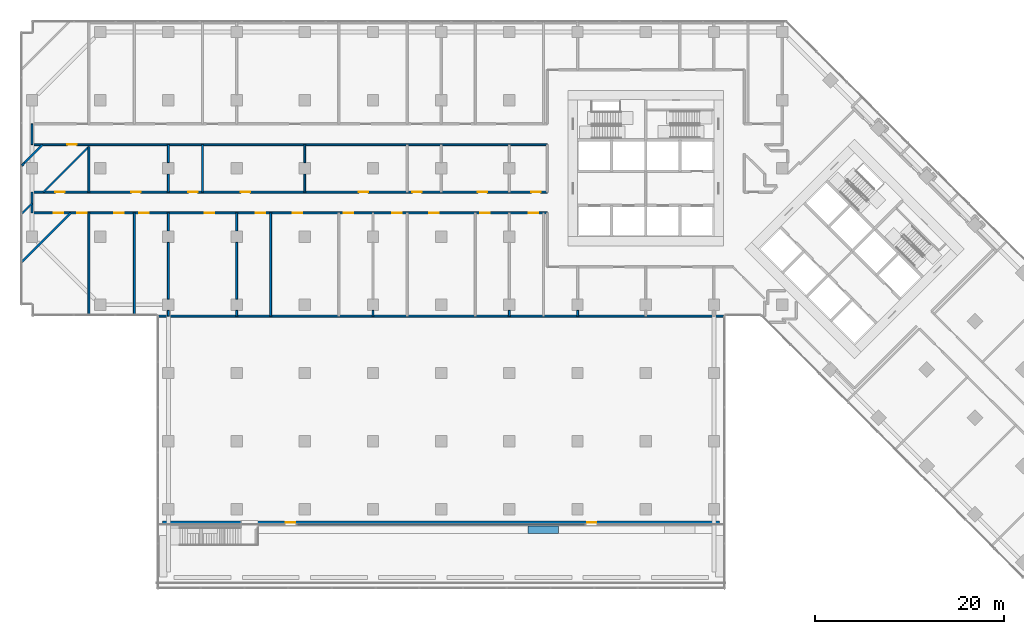
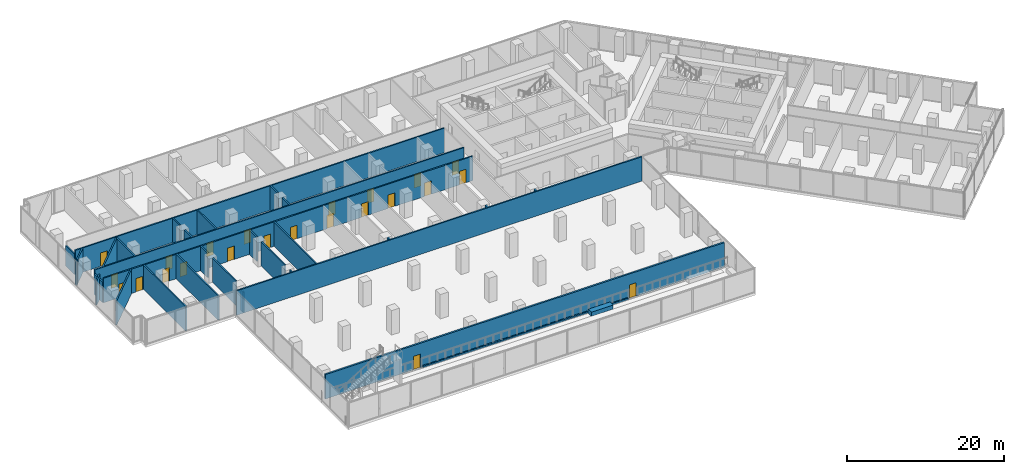
# One storey, part 19 of 27: 32 walls, 23 doors, 23 openings.
"""IFC4 building model written with IfcOpenShell, lengths in metres."""

from ifc_helpers import new_model, si_unit, direction, frame, frame_2d, origin, place, context, subcontext, project, spatial, polyline, rectangle, outline, extrude, material, layer, layer_set, type_object, element, fill, save


model = new_model("IFC4")

# Units and contexts
model_context = context("Model", 3, precision=1e-05, world=origin(), true_north=direction((0.0, 1.0)))
body_context = subcontext(model_context, "Body", "Model", "MODEL_VIEW")
ifc_project = project(units=[si_unit("LENGTHUNIT", "METRE"), si_unit("AREAUNIT", "SQUARE_METRE"), si_unit("VOLUMEUNIT", "CUBIC_METRE"), si_unit("PLANEANGLEUNIT", "RADIAN"), si_unit("MASSUNIT", "GRAM", prefix="KILO")], contexts=[model_context])

# Site, building, storey
site_placement = place(None, origin())
site = spatial("IfcSite", under=ifc_project, at=site_placement, CompositionType="ELEMENT")
building_placement = place(site_placement, origin())
building = spatial("IfcBuilding", under=site, at=building_placement, Name="Windrow Commons", CompositionType="ELEMENT")
storey_placement = place(building_placement, frame((0.0, 0.0, 6.0)))
storey = spatial("IfcBuildingStorey", under=building, at=storey_placement, Name="L01", CompositionType="ELEMENT", Elevation=6.0)

# Wall, openings, doors
ifc_material_1 = material(Name="Blockwork partition", Category="masonry")
ifc_layer_1 = layer(ifc_material_1, 0.2)
ifc_layer_set_1 = layer_set([ifc_layer_1], Name="IW-CORRIDOR-200")
wall_type_1 = type_object("IfcWallType", Name="IW-CORRIDOR-200", PredefinedType="PARTITIONING", material=ifc_layer_set_1)
wall_1_placement = place(storey_placement, frame((0.0, 55.1, 0.0), z_axis=(0.0, 0.0, 1.0), x_axis=(1.0, 0.0, 0.0)))
wall_1 = element("IfcWall", 1, at=wall_1_placement, inside=storey, type_object=wall_type_1, Name="W-L01-W002", PredefinedType="PARTITIONING", context=body_context, shape_type="SweptSolid", body=[
    extrude(rectangle(XDim=54.4, YDim=0.2, at=frame_2d((27.2, 0.0))), origin(), (0.0, 0.0, 1.0), 3.8),
])
opening_1_placement = place(wall_1_placement, frame((10.4853, 0.0, 0.0)))
opening_1 = element("IfcOpeningElement", 2, at=opening_1_placement, cuts=wall_1, Name="Opening D310F", PredefinedType="OPENING", context=body_context, shape_type="SweptSolid", body=[
    extrude(rectangle(XDim=1.0, YDim=2.1, at=frame_2d((0.5, 1.05))), frame((0.0, 0.11, 0.0), z_axis=(0.0, -1.0, 0.0), x_axis=(1.0, 0.0, 0.0)), (0.0, 0.0, 1.0), 0.22),
])
opening_2_placement = place(wall_1_placement, frame((16.475, 0.0, 0.0)))
opening_2 = element("IfcOpeningElement", 3, at=opening_2_placement, cuts=wall_1, Name="Opening D310F", PredefinedType="OPENING", context=body_context, shape_type="SweptSolid", body=[
    extrude(rectangle(XDim=1.0, YDim=2.1, at=frame_2d((0.5, 1.05))), frame((0.0, 0.11, 0.0), z_axis=(0.0, -1.0, 0.0), x_axis=(1.0, 0.0, 0.0)), (0.0, 0.0, 1.0), 0.22),
])
opening_3_placement = place(wall_1_placement, frame((22.025, 0.0, 0.0)))
opening_3 = element("IfcOpeningElement", 4, at=opening_3_placement, cuts=wall_1, Name="Opening D310F", PredefinedType="OPENING", context=body_context, shape_type="SweptSolid", body=[
    extrude(rectangle(XDim=1.0, YDim=2.1, at=frame_2d((0.5, 1.05))), frame((0.0, 0.11, 0.0), z_axis=(0.0, -1.0, 0.0), x_axis=(1.0, 0.0, 0.0)), (0.0, 0.0, 1.0), 0.22),
])
opening_4_placement = place(wall_1_placement, frame((34.4842, 0.0, 0.0)))
opening_4 = element("IfcOpeningElement", 5, at=opening_4_placement, cuts=wall_1, Name="Opening D310F", PredefinedType="OPENING", context=body_context, shape_type="SweptSolid", body=[
    extrude(rectangle(XDim=1.0, YDim=2.1, at=frame_2d((0.5, 1.05))), frame((0.0, 0.11, 0.0), z_axis=(0.0, -1.0, 0.0), x_axis=(1.0, 0.0, 0.0)), (0.0, 0.0, 1.0), 0.22),
])
opening_5_placement = place(wall_1_placement, frame((40.125, 0.0, 0.0)))
opening_5 = element("IfcOpeningElement", 6, at=opening_5_placement, cuts=wall_1, Name="Opening D310F", PredefinedType="OPENING", context=body_context, shape_type="SweptSolid", body=[
    extrude(rectangle(XDim=1.0, YDim=2.1, at=frame_2d((0.5, 1.05))), frame((0.0, 0.11, 0.0), z_axis=(0.0, -1.0, 0.0), x_axis=(1.0, 0.0, 0.0)), (0.0, 0.0, 1.0), 0.22),
])
opening_6_placement = place(wall_1_placement, frame((47.0862, 0.0, 0.0)))
opening_6 = element("IfcOpeningElement", 7, at=opening_6_placement, cuts=wall_1, Name="Opening D310F", PredefinedType="OPENING", context=body_context, shape_type="SweptSolid", body=[
    extrude(rectangle(XDim=1.0, YDim=2.1, at=frame_2d((0.5, 1.05))), frame((0.0, 0.11, 0.0), z_axis=(0.0, -1.0, 0.0), x_axis=(1.0, 0.0, 0.0)), (0.0, 0.0, 1.0), 0.22),
])
opening_7_placement = place(wall_1_placement, frame((52.709, 0.0, 0.0)))
opening_7 = element("IfcOpeningElement", 8, at=opening_7_placement, cuts=wall_1, Name="Opening D310F", PredefinedType="OPENING", context=body_context, shape_type="SweptSolid", body=[
    extrude(rectangle(XDim=1.0, YDim=2.1, at=frame_2d((0.5, 1.05))), frame((0.0, 0.11, 0.0), z_axis=(0.0, -1.0, 0.0), x_axis=(1.0, 0.0, 0.0)), (0.0, 0.0, 1.0), 0.22),
])
opening_8_placement = place(wall_1_placement, frame((2.4507, 0.0, 0.0)))
opening_8 = element("IfcOpeningElement", 9, at=opening_8_placement, cuts=wall_1, Name="Opening D310F", PredefinedType="OPENING", context=body_context, shape_type="SweptSolid", body=[
    extrude(rectangle(XDim=1.0, YDim=2.1, at=frame_2d((0.5, 1.05))), frame((0.0, 0.11, 0.0), z_axis=(0.0, -1.0, 0.0), x_axis=(1.0, 0.0, 0.0)), (0.0, 0.0, 1.0), 0.22),
])
ifc_material_2 = material(Name="Timber door leaf", Category="wood")
door_type_1 = type_object("IfcDoorType", Name="DT-AMENITY-1000", OperationType="SINGLE_SWING_LEFT", PredefinedType="DOOR", material=ifc_material_2)
door_1_placement = place(opening_1_placement, origin())
door_1 = element("IfcDoor", 10, at=door_1_placement, inside=storey, type_object=door_type_1, Name="D-L01-D015", OperationType="SINGLE_SWING_RIGHT", OverallHeight=2.1, OverallWidth=1.0, PredefinedType="DOOR", context=body_context, shape_type="SweptSolid", body=[
    extrude(rectangle(XDim=1.0, YDim=2.1, at=frame_2d((0.5, 1.05))), frame((0.0, 0.025, 0.0), z_axis=(0.0, -1.0, 0.0), x_axis=(1.0, 0.0, 0.0)), (0.0, 0.0, 1.0), 0.05),
])
fill(opening_1, door_1)
door_2_placement = place(opening_2_placement, origin())
door_2 = element("IfcDoor", 11, at=door_2_placement, inside=storey, type_object=door_type_1, Name="D-L01-D016", OperationType="SINGLE_SWING_RIGHT", OverallHeight=2.1, OverallWidth=1.0, PredefinedType="DOOR", context=body_context, shape_type="SweptSolid", body=[
    extrude(rectangle(XDim=1.0, YDim=2.1, at=frame_2d((0.5, 1.05))), frame((0.0, 0.025, 0.0), z_axis=(0.0, -1.0, 0.0), x_axis=(1.0, 0.0, 0.0)), (0.0, 0.0, 1.0), 0.05),
])
fill(opening_2, door_2)
door_3_placement = place(opening_3_placement, origin())
door_3 = element("IfcDoor", 12, at=door_3_placement, inside=storey, type_object=door_type_1, Name="D-L01-D017", OperationType="SINGLE_SWING_LEFT", OverallHeight=2.1, OverallWidth=1.0, PredefinedType="DOOR", context=body_context, shape_type="SweptSolid", body=[
    extrude(rectangle(XDim=1.0, YDim=2.1, at=frame_2d((0.5, 1.05))), frame((0.0, 0.025, 0.0), z_axis=(0.0, -1.0, 0.0), x_axis=(1.0, 0.0, 0.0)), (0.0, 0.0, 1.0), 0.05),
])
fill(opening_3, door_3)
door_4_placement = place(opening_4_placement, origin())
door_4 = element("IfcDoor", 13, at=door_4_placement, inside=storey, type_object=door_type_1, Name="D-L01-D018", OperationType="SINGLE_SWING_RIGHT", OverallHeight=2.1, OverallWidth=1.0, PredefinedType="DOOR", context=body_context, shape_type="SweptSolid", body=[
    extrude(rectangle(XDim=1.0, YDim=2.1, at=frame_2d((0.5, 1.05))), frame((0.0, 0.025, 0.0), z_axis=(0.0, -1.0, 0.0), x_axis=(1.0, 0.0, 0.0)), (0.0, 0.0, 1.0), 0.05),
])
fill(opening_4, door_4)
door_5_placement = place(opening_5_placement, origin())
door_5 = element("IfcDoor", 14, at=door_5_placement, inside=storey, type_object=door_type_1, Name="D-L01-D019", OperationType="SINGLE_SWING_LEFT", OverallHeight=2.1, OverallWidth=1.0, PredefinedType="DOOR", context=body_context, shape_type="SweptSolid", body=[
    extrude(rectangle(XDim=1.0, YDim=2.1, at=frame_2d((0.5, 1.05))), frame((0.0, 0.025, 0.0), z_axis=(0.0, -1.0, 0.0), x_axis=(1.0, 0.0, 0.0)), (0.0, 0.0, 1.0), 0.05),
])
fill(opening_5, door_5)
door_6_placement = place(opening_6_placement, origin())
door_6 = element("IfcDoor", 15, at=door_6_placement, inside=storey, type_object=door_type_1, Name="D-L01-D020", OperationType="SINGLE_SWING_RIGHT", OverallHeight=2.1, OverallWidth=1.0, PredefinedType="DOOR", context=body_context, shape_type="SweptSolid", body=[
    extrude(rectangle(XDim=1.0, YDim=2.1, at=frame_2d((0.5, 1.05))), frame((0.0, 0.025, 0.0), z_axis=(0.0, -1.0, 0.0), x_axis=(1.0, 0.0, 0.0)), (0.0, 0.0, 1.0), 0.05),
])
fill(opening_6, door_6)
door_7_placement = place(opening_7_placement, origin())
door_7 = element("IfcDoor", 16, at=door_7_placement, inside=storey, type_object=door_type_1, Name="D-L01-D021", OperationType="SINGLE_SWING_RIGHT", OverallHeight=2.1, OverallWidth=1.0, PredefinedType="DOOR", context=body_context, shape_type="SweptSolid", body=[
    extrude(rectangle(XDim=1.0, YDim=2.1, at=frame_2d((0.5, 1.05))), frame((0.0, 0.025, 0.0), z_axis=(0.0, -1.0, 0.0), x_axis=(1.0, 0.0, 0.0)), (0.0, 0.0, 1.0), 0.05),
])
fill(opening_7, door_7)
door_8_placement = place(opening_8_placement, origin())
door_8 = element("IfcDoor", 17, at=door_8_placement, inside=storey, type_object=door_type_1, Name="D-L01-D038", OperationType="SINGLE_SWING_LEFT", OverallHeight=2.1, OverallWidth=1.0, PredefinedType="DOOR", context=body_context, shape_type="SweptSolid", body=[
    extrude(rectangle(XDim=1.0, YDim=2.1, at=frame_2d((0.5, 1.05))), frame((0.0, 0.025, 0.0), z_axis=(0.0, -1.0, 0.0), x_axis=(1.0, 0.0, 0.0)), (0.0, 0.0, 1.0), 0.05),
])
fill(opening_8, door_8)

wall_2_placement = place(storey_placement, frame((0.0, 52.9, 0.0), z_axis=(0.0, 0.0, 1.0), x_axis=(1.0, 0.0, 0.0)))
wall_2 = element("IfcWall", 18, at=wall_2_placement, inside=storey, type_object=wall_type_1, Name="W-L01-W003", PredefinedType="PARTITIONING", context=body_context, shape_type="SweptSolid", body=[
    extrude(rectangle(XDim=54.4, YDim=0.2, at=frame_2d((27.2, 0.0))), origin(), (0.0, 0.0, 1.0), 3.8),
])
opening_9_placement = place(wall_2_placement, frame((8.6894, 0.0, 0.0)))
opening_9 = element("IfcOpeningElement", 19, at=opening_9_placement, cuts=wall_2, Name="Opening D310F", PredefinedType="OPENING", context=body_context, shape_type="SweptSolid", body=[
    extrude(rectangle(XDim=1.0, YDim=2.1, at=frame_2d((0.5, 1.05))), frame((0.0, 0.11, 0.0), z_axis=(0.0, -1.0, 0.0), x_axis=(1.0, 0.0, 0.0)), (0.0, 0.0, 1.0), 0.22),
])
opening_10_placement = place(wall_2_placement, frame((11.325, 0.0, 0.0)))
opening_10 = element("IfcOpeningElement", 20, at=opening_10_placement, cuts=wall_2, Name="Opening D310F", PredefinedType="OPENING", context=body_context, shape_type="SweptSolid", body=[
    extrude(rectangle(XDim=1.0, YDim=2.1, at=frame_2d((0.5, 1.05))), frame((0.0, 0.11, 0.0), z_axis=(0.0, -1.0, 0.0), x_axis=(1.0, 0.0, 0.0)), (0.0, 0.0, 1.0), 0.22),
])
opening_11_placement = place(wall_2_placement, frame((18.2625, 0.0, 0.0)))
opening_11 = element("IfcOpeningElement", 21, at=opening_11_placement, cuts=wall_2, Name="Opening D310F", PredefinedType="OPENING", context=body_context, shape_type="SweptSolid", body=[
    extrude(rectangle(XDim=1.0, YDim=2.1, at=frame_2d((0.5, 1.05))), frame((0.0, 0.11, 0.0), z_axis=(0.0, -1.0, 0.0), x_axis=(1.0, 0.0, 0.0)), (0.0, 0.0, 1.0), 0.22),
])
opening_12_placement = place(wall_2_placement, frame((23.6325, 0.0, 0.0)))
opening_12 = element("IfcOpeningElement", 22, at=opening_12_placement, cuts=wall_2, Name="Opening D310F", PredefinedType="OPENING", context=body_context, shape_type="SweptSolid", body=[
    extrude(rectangle(XDim=1.0, YDim=2.1, at=frame_2d((0.5, 1.05))), frame((0.0, 0.11, 0.0), z_axis=(0.0, -1.0, 0.0), x_axis=(1.0, 0.0, 0.0)), (0.0, 0.0, 1.0), 0.22),
])
opening_13_placement = place(wall_2_placement, frame((27.5375, 0.0, 0.0)))
opening_13 = element("IfcOpeningElement", 23, at=opening_13_placement, cuts=wall_2, Name="Opening D310F", PredefinedType="OPENING", context=body_context, shape_type="SweptSolid", body=[
    extrude(rectangle(XDim=1.0, YDim=2.1, at=frame_2d((0.5, 1.05))), frame((0.0, 0.11, 0.0), z_axis=(0.0, -1.0, 0.0), x_axis=(1.0, 0.0, 0.0)), (0.0, 0.0, 1.0), 0.22),
])
opening_14_placement = place(wall_2_placement, frame((32.9075, 0.0, 0.0)))
opening_14 = element("IfcOpeningElement", 24, at=opening_14_placement, cuts=wall_2, Name="Opening D310F", PredefinedType="OPENING", context=body_context, shape_type="SweptSolid", body=[
    extrude(rectangle(XDim=1.0, YDim=2.1, at=frame_2d((0.5, 1.05))), frame((0.0, 0.11, 0.0), z_axis=(0.0, -1.0, 0.0), x_axis=(1.0, 0.0, 0.0)), (0.0, 0.0, 1.0), 0.22),
])
opening_15_placement = place(wall_2_placement, frame((38.0325, 0.0, 0.0)))
opening_15 = element("IfcOpeningElement", 25, at=opening_15_placement, cuts=wall_2, Name="Opening D310F", PredefinedType="OPENING", context=body_context, shape_type="SweptSolid", body=[
    extrude(rectangle(XDim=1.0, YDim=2.1, at=frame_2d((0.5, 1.05))), frame((0.0, 0.11, 0.0), z_axis=(0.0, -1.0, 0.0), x_axis=(1.0, 0.0, 0.0)), (0.0, 0.0, 1.0), 0.22),
])
opening_16_placement = place(wall_2_placement, frame((41.9375, 0.0, 0.0)))
opening_16 = element("IfcOpeningElement", 26, at=opening_16_placement, cuts=wall_2, Name="Opening D310F", PredefinedType="OPENING", context=body_context, shape_type="SweptSolid", body=[
    extrude(rectangle(XDim=1.0, YDim=2.1, at=frame_2d((0.5, 1.05))), frame((0.0, 0.11, 0.0), z_axis=(0.0, -1.0, 0.0), x_axis=(1.0, 0.0, 0.0)), (0.0, 0.0, 1.0), 0.22),
])
opening_17_placement = place(wall_2_placement, frame((47.3075, 0.0, 0.0)))
opening_17 = element("IfcOpeningElement", 27, at=opening_17_placement, cuts=wall_2, Name="Opening D310F", PredefinedType="OPENING", context=body_context, shape_type="SweptSolid", body=[
    extrude(rectangle(XDim=1.0, YDim=2.1, at=frame_2d((0.5, 1.05))), frame((0.0, 0.11, 0.0), z_axis=(0.0, -1.0, 0.0), x_axis=(1.0, 0.0, 0.0)), (0.0, 0.0, 1.0), 0.22),
])
opening_18_placement = place(wall_2_placement, frame((52.4325, 0.0, 0.0)))
opening_18 = element("IfcOpeningElement", 28, at=opening_18_placement, cuts=wall_2, Name="Opening D310F", PredefinedType="OPENING", context=body_context, shape_type="SweptSolid", body=[
    extrude(rectangle(XDim=1.0, YDim=2.1, at=frame_2d((0.5, 1.05))), frame((0.0, 0.11, 0.0), z_axis=(0.0, -1.0, 0.0), x_axis=(1.0, 0.0, 0.0)), (0.0, 0.0, 1.0), 0.22),
])
opening_19_placement = place(wall_2_placement, frame((2.288, 0.0, 0.0)))
opening_19 = element("IfcOpeningElement", 29, at=opening_19_placement, cuts=wall_2, Name="Opening D410F", PredefinedType="OPENING", context=body_context, shape_type="SweptSolid", body=[
    extrude(rectangle(XDim=1.0, YDim=2.1, at=frame_2d((0.5, 1.05))), frame((0.0, 0.11, 0.0), z_axis=(0.0, -1.0, 0.0), x_axis=(1.0, 0.0, 0.0)), (0.0, 0.0, 1.0), 0.22),
])
opening_20_placement = place(wall_2_placement, frame((4.7724, 0.0, 0.0)))
opening_20 = element("IfcOpeningElement", 30, at=opening_20_placement, cuts=wall_2, Name="Opening D310F", PredefinedType="OPENING", context=body_context, shape_type="SweptSolid", body=[
    extrude(rectangle(XDim=1.0, YDim=2.1, at=frame_2d((0.5, 1.05))), frame((0.0, 0.11, 0.0), z_axis=(0.0, -1.0, 0.0), x_axis=(1.0, 0.0, 0.0)), (0.0, 0.0, 1.0), 0.22),
])
door_9_placement = place(opening_9_placement, origin())
door_9 = element("IfcDoor", 31, at=door_9_placement, inside=storey, type_object=door_type_1, Name="D-L01-D000", OperationType="SINGLE_SWING_LEFT", OverallHeight=2.1, OverallWidth=1.0, PredefinedType="DOOR", context=body_context, shape_type="SweptSolid", body=[
    extrude(rectangle(XDim=1.0, YDim=2.1, at=frame_2d((0.5, 1.05))), frame((0.0, 0.025, 0.0), z_axis=(0.0, -1.0, 0.0), x_axis=(1.0, 0.0, 0.0)), (0.0, 0.0, 1.0), 0.05),
])
fill(opening_9, door_9)
door_10_placement = place(opening_10_placement, origin())
door_10 = element("IfcDoor", 32, at=door_10_placement, inside=storey, type_object=door_type_1, Name="D-L01-D001", OperationType="SINGLE_SWING_RIGHT", OverallHeight=2.1, OverallWidth=1.0, PredefinedType="DOOR", context=body_context, shape_type="SweptSolid", body=[
    extrude(rectangle(XDim=1.0, YDim=2.1, at=frame_2d((0.5, 1.05))), frame((0.0, 0.025, 0.0), z_axis=(0.0, -1.0, 0.0), x_axis=(1.0, 0.0, 0.0)), (0.0, 0.0, 1.0), 0.05),
])
fill(opening_10, door_10)
door_11_placement = place(opening_11_placement, origin())
door_11 = element("IfcDoor", 33, at=door_11_placement, inside=storey, type_object=door_type_1, Name="D-L01-D002", OperationType="SINGLE_SWING_LEFT", OverallHeight=2.1, OverallWidth=1.0, PredefinedType="DOOR", context=body_context, shape_type="SweptSolid", body=[
    extrude(rectangle(XDim=1.0, YDim=2.1, at=frame_2d((0.5, 1.05))), frame((0.0, 0.025, 0.0), z_axis=(0.0, -1.0, 0.0), x_axis=(1.0, 0.0, 0.0)), (0.0, 0.0, 1.0), 0.05),
])
fill(opening_11, door_11)
door_12_placement = place(opening_12_placement, origin())
door_12 = element("IfcDoor", 34, at=door_12_placement, inside=storey, type_object=door_type_1, Name="D-L01-D003", OperationType="SINGLE_SWING_LEFT", OverallHeight=2.1, OverallWidth=1.0, PredefinedType="DOOR", context=body_context, shape_type="SweptSolid", body=[
    extrude(rectangle(XDim=1.0, YDim=2.1, at=frame_2d((0.5, 1.05))), frame((0.0, 0.025, 0.0), z_axis=(0.0, -1.0, 0.0), x_axis=(1.0, 0.0, 0.0)), (0.0, 0.0, 1.0), 0.05),
])
fill(opening_12, door_12)
door_13_placement = place(opening_13_placement, origin())
door_13 = element("IfcDoor", 35, at=door_13_placement, inside=storey, type_object=door_type_1, Name="D-L01-D004", OperationType="SINGLE_SWING_RIGHT", OverallHeight=2.1, OverallWidth=1.0, PredefinedType="DOOR", context=body_context, shape_type="SweptSolid", body=[
    extrude(rectangle(XDim=1.0, YDim=2.1, at=frame_2d((0.5, 1.05))), frame((0.0, 0.025, 0.0), z_axis=(0.0, -1.0, 0.0), x_axis=(1.0, 0.0, 0.0)), (0.0, 0.0, 1.0), 0.05),
])
fill(opening_13, door_13)
door_14_placement = place(opening_14_placement, origin())
door_14 = element("IfcDoor", 36, at=door_14_placement, inside=storey, type_object=door_type_1, Name="D-L01-D005", OperationType="SINGLE_SWING_RIGHT", OverallHeight=2.1, OverallWidth=1.0, PredefinedType="DOOR", context=body_context, shape_type="SweptSolid", body=[
    extrude(rectangle(XDim=1.0, YDim=2.1, at=frame_2d((0.5, 1.05))), frame((0.0, 0.025, 0.0), z_axis=(0.0, -1.0, 0.0), x_axis=(1.0, 0.0, 0.0)), (0.0, 0.0, 1.0), 0.05),
])
fill(opening_14, door_14)
door_15_placement = place(opening_15_placement, origin())
door_15 = element("IfcDoor", 37, at=door_15_placement, inside=storey, type_object=door_type_1, Name="D-L01-D006", OperationType="SINGLE_SWING_LEFT", OverallHeight=2.1, OverallWidth=1.0, PredefinedType="DOOR", context=body_context, shape_type="SweptSolid", body=[
    extrude(rectangle(XDim=1.0, YDim=2.1, at=frame_2d((0.5, 1.05))), frame((0.0, 0.025, 0.0), z_axis=(0.0, -1.0, 0.0), x_axis=(1.0, 0.0, 0.0)), (0.0, 0.0, 1.0), 0.05),
])
fill(opening_15, door_15)
door_16_placement = place(opening_16_placement, origin())
door_16 = element("IfcDoor", 38, at=door_16_placement, inside=storey, type_object=door_type_1, Name="D-L01-D007", OperationType="SINGLE_SWING_RIGHT", OverallHeight=2.1, OverallWidth=1.0, PredefinedType="DOOR", context=body_context, shape_type="SweptSolid", body=[
    extrude(rectangle(XDim=1.0, YDim=2.1, at=frame_2d((0.5, 1.05))), frame((0.0, 0.025, 0.0), z_axis=(0.0, -1.0, 0.0), x_axis=(1.0, 0.0, 0.0)), (0.0, 0.0, 1.0), 0.05),
])
fill(opening_16, door_16)
door_17_placement = place(opening_17_placement, origin())
door_17 = element("IfcDoor", 39, at=door_17_placement, inside=storey, type_object=door_type_1, Name="D-L01-D008", OperationType="SINGLE_SWING_RIGHT", OverallHeight=2.1, OverallWidth=1.0, PredefinedType="DOOR", context=body_context, shape_type="SweptSolid", body=[
    extrude(rectangle(XDim=1.0, YDim=2.1, at=frame_2d((0.5, 1.05))), frame((0.0, 0.025, 0.0), z_axis=(0.0, -1.0, 0.0), x_axis=(1.0, 0.0, 0.0)), (0.0, 0.0, 1.0), 0.05),
])
fill(opening_17, door_17)
door_18_placement = place(opening_18_placement, origin())
door_18 = element("IfcDoor", 40, at=door_18_placement, inside=storey, type_object=door_type_1, Name="D-L01-D009", OperationType="SINGLE_SWING_LEFT", OverallHeight=2.1, OverallWidth=1.0, PredefinedType="DOOR", context=body_context, shape_type="SweptSolid", body=[
    extrude(rectangle(XDim=1.0, YDim=2.1, at=frame_2d((0.5, 1.05))), frame((0.0, 0.025, 0.0), z_axis=(0.0, -1.0, 0.0), x_axis=(1.0, 0.0, 0.0)), (0.0, 0.0, 1.0), 0.05),
])
fill(opening_18, door_18)
door_19_placement = place(opening_20_placement, origin())
door_19 = element("IfcDoor", 41, at=door_19_placement, inside=storey, type_object=door_type_1, Name="D-L01-D039", OperationType="SINGLE_SWING_LEFT", OverallHeight=2.1, OverallWidth=1.0, PredefinedType="DOOR", context=body_context, shape_type="SweptSolid", body=[
    extrude(rectangle(XDim=1.0, YDim=2.1, at=frame_2d((0.5, 1.05))), frame((0.0, 0.025, 0.0), z_axis=(0.0, -1.0, 0.0), x_axis=(1.0, 0.0, 0.0)), (0.0, 0.0, 1.0), 0.05),
])
fill(opening_20, door_19)
ifc_material_3 = material(Name="Timber door leaf", Category="wood")
door_type_2 = type_object("IfcDoorType", Name="DT-SERVICE-1000", OperationType="SINGLE_SWING_LEFT", PredefinedType="DOOR", material=ifc_material_3)
door_20_placement = place(opening_19_placement, origin())
door_20 = element("IfcDoor", 42, at=door_20_placement, inside=storey, type_object=door_type_2, Name="D-L01-D037", OperationType="SINGLE_SWING_RIGHT", OverallHeight=2.1, OverallWidth=1.0, PredefinedType="DOOR", context=body_context, shape_type="SweptSolid", body=[
    extrude(rectangle(XDim=1.0, YDim=2.1, at=frame_2d((0.5, 1.05))), frame((0.0, 0.025, 0.0), z_axis=(0.0, -1.0, 0.0), x_axis=(1.0, 0.0, 0.0)), (0.0, 0.0, 1.0), 0.05),
])
fill(opening_19, door_20)

# Wall, opening, door
wall_3_placement = place(storey_placement, frame((0.002, 60.1, 0.0), z_axis=(0.0, 0.0, 1.0), x_axis=(1.0, 0.0, 0.0)))
wall_3 = element("IfcWall", 43, at=wall_3_placement, inside=storey, type_object=wall_type_1, Name="W-L01-W004", PredefinedType="PARTITIONING", context=body_context, shape_type="SweptSolid", body=[
    extrude(rectangle(XDim=54.398, YDim=0.2, at=frame_2d((27.199, 0.0))), origin(), (0.0, 0.0, 1.0), 3.8),
])
opening_21_placement = place(wall_3_placement, frame((3.7289, 0.0, 0.0)))
opening_21 = element("IfcOpeningElement", 44, at=opening_21_placement, cuts=wall_3, Name="Opening D310F", PredefinedType="OPENING", context=body_context, shape_type="SweptSolid", body=[
    extrude(rectangle(XDim=1.0, YDim=2.1, at=frame_2d((0.5, 1.05))), frame((0.0, 0.11, 0.0), z_axis=(0.0, -1.0, 0.0), x_axis=(1.0, 0.0, 0.0)), (0.0, 0.0, 1.0), 0.22),
])
door_21_placement = place(opening_21_placement, origin())
door_21 = element("IfcDoor", 45, at=door_21_placement, inside=storey, type_object=door_type_1, Name="D-L01-D036", OperationType="SINGLE_SWING_LEFT", OverallHeight=2.1, OverallWidth=1.0, PredefinedType="DOOR", context=body_context, shape_type="SweptSolid", body=[
    extrude(rectangle(XDim=1.0, YDim=2.1, at=frame_2d((0.5, 1.05))), frame((0.0, 0.025, 0.0), z_axis=(0.0, -1.0, 0.0), x_axis=(1.0, 0.0, 0.0)), (0.0, 0.0, 1.0), 0.05),
])
fill(opening_21, door_21)

# Walls
wall_4_placement = place(storey_placement, frame((0.0, 52.9, 0.0), z_axis=(0.0, 0.0, 1.0), x_axis=(0.0, 1.0, 0.0)))
element("IfcWall", 46, at=wall_4_placement, inside=storey, type_object=wall_type_1, Name="W-L01-W080", PredefinedType="PARTITIONING", context=body_context, shape_type="SweptSolid", body=[
    extrude(rectangle(XDim=2.2, YDim=0.2, at=frame_2d((1.1, 0.0))), origin(), (0.0, 0.0, 1.0), 3.2),
])
wall_5_placement = place(storey_placement, frame((0.0, 60.102, 0.0), z_axis=(0.0, 0.0, 1.0), x_axis=(0.0, 1.0, 0.0)))
element("IfcWall", 47, at=wall_5_placement, inside=storey, type_object=wall_type_1, Name="W-L01-W083", PredefinedType="PARTITIONING", context=body_context, shape_type="SweptSolid", body=[
    extrude(rectangle(XDim=2.196, YDim=0.2, at=frame_2d((1.098, 0.0))), origin(), (0.0, 0.0, 1.0), 3.2),
])
ifc_material_4 = material(Name="Blockwork partition", Category="masonry")
ifc_layer_2 = layer(ifc_material_4, 0.2)
ifc_layer_set_2 = layer_set([ifc_layer_2], Name="IW-PARTY-200")
wall_type_2 = type_object("IfcWallType", Name="IW-PARTY-200", PredefinedType="PARTITIONING", material=ifc_layer_set_2)
wall_6_placement = place(storey_placement, frame((13.33, 42.0, 0.0), z_axis=(0.0, 0.0, 1.0), x_axis=(1.0, 0.0, 0.0)))
element("IfcWall", 48, at=wall_6_placement, inside=storey, type_object=wall_type_2, Name="W-L01-W001", PredefinedType="PARTITIONING", context=body_context, shape_type="SweptSolid", body=[
    extrude(rectangle(XDim=59.74, YDim=0.2, at=frame_2d((29.87, 0.0))), origin(), (0.0, 0.0, 1.0), 3.8),
])
wall_7_placement = place(storey_placement, frame((25.2, 42.0, 0.0), z_axis=(0.0, 0.0, 1.0), x_axis=(0.0, 1.0, 0.0)))
element("IfcWall", 49, at=wall_7_placement, inside=storey, type_object=wall_type_2, Name="W-L01-W009", PredefinedType="PARTITIONING", context=body_context, shape_type="SweptSolid", body=[
    extrude(rectangle(XDim=10.9, YDim=0.2, at=frame_2d((5.45, 0.0))), origin(), (0.0, 0.0, 1.0), 3.8),
])
for number, where, z_axis, x_axis, name in (
    (50, (6.0, 42.13, 0.0), (0.0, 0.0, 1.0), (0.0, 1.0, 0.0), "W-L01-W022"),
    (51, (10.8, 42.13, 0.0), (0.0, 0.0, 1.0), (0.0, 1.0, 0.0), "W-L01-W023"),
):
    element("IfcWall", number, at=place(storey_placement, frame(where, z_axis=z_axis, x_axis=x_axis)), inside=storey, type_object=wall_type_2, Name=name, PredefinedType="PARTITIONING", context=body_context, shape_type="SweptSolid", body=[
        extrude(rectangle(XDim=10.77, YDim=0.2, at=frame_2d((5.385, 0.0))), origin(), (0.0, 0.0, 1.0), 3.8),
    ])
wall_8_placement = place(storey_placement, frame((-1.0713, 47.7333, 0.0), z_axis=(0.0, 0.0, 1.0), x_axis=(0.7071067812, 0.7071067812, 0.0)))
element("IfcWall", 52, at=wall_8_placement, inside=storey, type_object=wall_type_2, Name="W-L01-W035", PredefinedType="PARTITIONING", context=body_context, shape_type="SweptSolid", body=[
    extrude(rectangle(XDim=7.3087, YDim=0.2, at=frame_2d((3.6543, 0.0))), origin(), (0.0, 0.0, 1.0), 3.8),
])
wall_9_placement = place(storey_placement, frame((1.2052, 55.1008, 0.0), z_axis=(0.0, 0.0, 1.0), x_axis=(0.7071067812, 0.7071067812, 0.0)))
element("IfcWall", 53, at=wall_9_placement, inside=storey, type_object=wall_type_2, Name="W-L01-W038", PredefinedType="PARTITIONING", context=body_context, shape_type="SweptSolid", body=[
    extrude(rectangle(XDim=6.7797, YDim=0.2, at=frame_2d((3.3899, 0.0))), origin(), (0.0, 0.0, 1.0), 3.8),
])
for number, where, z_axis, x_axis, name in (
    (54, (14.4, 43.8, 0.0), (0.0, 0.0, 1.0), (0.0, 1.0, 0.0), "W-L01-W040"),
    (55, (21.6, 43.8, 0.0), (0.0, 0.0, 1.0), (0.0, 1.0, 0.0), "W-L01-W041"),
):
    element("IfcWall", number, at=place(storey_placement, frame(where, z_axis=z_axis, x_axis=x_axis)), inside=storey, type_object=wall_type_2, Name=name, PredefinedType="PARTITIONING", context=body_context, shape_type="SweptSolid", body=[
        extrude(rectangle(XDim=6.0, YDim=0.2, at=frame_2d((3.0, 0.0))), origin(), (0.0, 0.0, 1.0), 3.8),
    ])
wall_10_placement = place(storey_placement, frame((18.0, 55.1, 0.0), z_axis=(0.0, 0.0, 1.0), x_axis=(0.0, 1.0, 0.0)))
element("IfcWall", 56, at=wall_10_placement, inside=storey, type_object=wall_type_2, Name="W-L01-W052", PredefinedType="PARTITIONING", context=body_context, shape_type="SweptSolid", body=[
    extrude(rectangle(XDim=5.0, YDim=0.2, at=frame_2d((2.5, 0.0))), origin(), (0.0, 0.0, 1.0), 3.8),
])
wall_11_placement = place(storey_placement, frame((6.0, 55.1, 0.0), z_axis=(0.0, 0.0, 1.0), x_axis=(0.0, 1.0, 0.0)))
element("IfcWall", 57, at=wall_11_placement, inside=storey, type_object=wall_type_2, Name="W-L01-W056", PredefinedType="PARTITIONING", context=body_context, shape_type="SweptSolid", body=[
    extrude(rectangle(XDim=4.794, YDim=0.2, at=frame_2d((2.397, 0.0))), origin(), (0.0, 0.0, 1.0), 3.8),
])
wall_12_placement = place(storey_placement, frame((-0.8281, 58.1601, 0.0), z_axis=(0.0, 0.0, 1.0), x_axis=(0.7067423871, 0.7074709875, 0.0)))
element("IfcWall", 58, at=wall_12_placement, inside=storey, type_object=wall_type_2, Name="W-L01-W076", PredefinedType="PARTITIONING", context=body_context, shape_type="SweptSolid", body=[
    extrude(rectangle(XDim=2.745, YDim=0.2, at=frame_2d((1.3725, 0.0))), origin(), (0.0, 0.0, 1.0), 3.8),
])
for number, where, z_axis, x_axis, name in (
    (59, (14.4, 51.0, 0.0), (0.0, 0.0, 1.0), (0.0, 1.0, 0.0), "W-L01-W088"),
    (60, (14.4, 55.1, 0.0), (0.0, 0.0, 1.0), (0.0, 1.0, 0.0), "W-L01-W089"),
    (61, (14.4, 58.2, 0.0), (0.0, 0.0, 1.0), (0.0, 1.0, 0.0), "W-L01-W090"),
    (62, (21.6, 51.0, 0.0), (0.0, 0.0, 1.0), (0.0, 1.0, 0.0), "W-L01-W091"),
    (63, (28.8, 55.1, 0.0), (0.0, 0.0, 1.0), (0.0, 1.0, 0.0), "W-L01-W092"),
    (64, (28.8, 58.2, 0.0), (0.0, 0.0, 1.0), (0.0, 1.0, 0.0), "W-L01-W093"),
):
    element("IfcWall", number, at=place(storey_placement, frame(where, z_axis=z_axis, x_axis=x_axis)), inside=storey, type_object=wall_type_2, Name=name, PredefinedType="PARTITIONING", context=body_context, shape_type="SweptSolid", body=[
        extrude(rectangle(XDim=1.9, YDim=0.2, at=frame_2d((0.95, 0.0))), origin(), (0.0, 0.0, 1.0), 3.8),
    ])
wall_13_placement = place(storey_placement, frame((-1.0708, 52.8248, 0.0), z_axis=(0.0, 0.0, 1.0), x_axis=(0.7071067812, 0.7071067812, 0.0)))
element("IfcWall", 65, at=wall_13_placement, inside=storey, type_object=wall_type_2, Name="W-L01-W109", PredefinedType="PARTITIONING", context=body_context, shape_type="SweptSolid", body=[
    extrude(rectangle(XDim=1.5132, YDim=0.2, at=frame_2d((0.7566, 0.0))), origin(), (0.0, 0.0, 1.0), 3.8),
])
wall_14_placement = place(storey_placement, frame((14.4, 42.0, 0.0), z_axis=(0.0, 0.0, 1.0), x_axis=(0.0, 1.0, 0.0)))
element("IfcWall", 66, at=wall_14_placement, inside=storey, type_object=wall_type_2, Name="W-L01-W122", PredefinedType="PARTITIONING", context=body_context, shape_type="SweptSolid", body=[
    extrude(rectangle(XDim=0.6, YDim=0.2, at=frame_2d((0.3, 0.0))), origin(), (0.0, 0.0, 1.0), 3.2),
])
for number, where, z_axis, x_axis, name in (
    (67, (21.6, 42.0, 0.0), (0.0, 0.0, 1.0), (0.0, 1.0, 0.0), "W-L01-W123"),
    (68, (36.0, 42.0, 0.0), (0.0, 0.0, 1.0), (0.0, 1.0, 0.0), "W-L01-W124"),
    (69, (50.4, 42.0, 0.0), (0.0, 0.0, 1.0), (0.0, 1.0, 0.0), "W-L01-W125"),
    (70, (57.6, 42.0, 0.0), (0.0, 0.0, 1.0), (0.0, 1.0, 0.0), "W-L01-W126"),
):
    element("IfcWall", number, at=place(storey_placement, frame(where, z_axis=z_axis, x_axis=x_axis)), inside=storey, type_object=wall_type_2, Name=name, PredefinedType="PARTITIONING", context=body_context, shape_type="SweptSolid", body=[
        extrude(rectangle(XDim=0.6, YDim=0.2, at=frame_2d((0.3, 0.0))), origin(), (0.0, 0.0, 1.0), 3.8),
    ])
wall_15_placement = place(storey_placement, frame((-1.0669, 57.9128, 0.0), z_axis=(0.0, 0.0, 1.0), x_axis=(0.7100106736, 0.704190914, 0.0)))
element("IfcWall", 71, at=wall_15_placement, inside=storey, type_object=wall_type_2, Name="W-L01-W150", PredefinedType="PARTITIONING", context=body_context, shape_type="SweptSolid", body=[
    extrude(rectangle(XDim=0.3437, YDim=0.2, at=frame_2d((0.1719, 0.0))), origin(), (0.0, 0.0, 1.0), 3.8),
])
ifc_material_5 = material(Name="Concrete C30/37 planter wall", Category="concrete")
ifc_layer_3 = layer(ifc_material_5, 0.8)
ifc_layer_set_3 = layer_set([ifc_layer_3], Name="Planter 800x600")
wall_type_3 = type_object("IfcWallType", Name="Planter 800x600", PredefinedType="SOLIDWALL", material=ifc_layer_set_3)
wall_16_placement = place(storey_placement, frame((55.6068, 19.45, 0.0), z_axis=(0.0, 0.0, 1.0), x_axis=(-1.0, 0.0, 0.0)))
element("IfcWall", 72, at=wall_16_placement, inside=storey, type_object=wall_type_3, Name="PLANTER TR-L01-1.1", PredefinedType="SOLIDWALL", context=body_context, shape_type="SweptSolid", body=[
    extrude(outline(polyline([(0.0, -0.4), (3.2136, -0.4), (3.2136, 0.4), (0.0, 0.4), (0.0, -0.4)])), origin(), (0.0, 0.0, 1.0), 0.65),
])

# Wall, openings, doors
ifc_material_6 = material(Name="Facing brick on concrete block", Category="masonry")
ifc_layer_4 = layer(ifc_material_6, 0.25)
ifc_layer_set_4 = layer_set([ifc_layer_4], Name="Terrace back wall 250")
wall_type_4 = type_object("IfcWallType", Name="Terrace back wall 250", PredefinedType="SOLIDWALL", material=ifc_layer_set_4)
wall_17_placement = place(storey_placement, frame((72.6, 20.225, 0.0), z_axis=(0.0, 0.0, 1.0), x_axis=(-1.0, 0.0, 0.0)))
wall_17 = element("IfcWall", 73, at=wall_17_placement, inside=storey, type_object=wall_type_4, Name="Terrace back wall TR-L01-1.1", PredefinedType="SOLIDWALL", context=body_context, shape_type="SweptSolid", body=[
    extrude(rectangle(XDim=58.8, YDim=0.25, at=frame_2d((29.4, 0.0))), origin(), (0.0, 0.0, 1.0), 3.8),
])
opening_22_placement = place(wall_17_placement, frame((13.0, 0.0, 0.0)))
opening_22 = element("IfcOpeningElement", 74, at=opening_22_placement, cuts=wall_17, Name="Opening D12", PredefinedType="OPENING", context=body_context, shape_type="SweptSolid", body=[
    extrude(rectangle(XDim=1.0, YDim=2.1, at=frame_2d((0.5, 1.05))), frame((0.0, 0.135, 0.0), z_axis=(0.0, -1.0, 0.0), x_axis=(1.0, 0.0, 0.0)), (0.0, 0.0, 1.0), 0.27),
])
opening_23_placement = place(wall_17_placement, frame((44.8, 0.0, 0.0)))
opening_23 = element("IfcOpeningElement", 75, at=opening_23_placement, cuts=wall_17, Name="Opening D12", PredefinedType="OPENING", context=body_context, shape_type="SweptSolid", body=[
    extrude(rectangle(XDim=1.0, YDim=2.1, at=frame_2d((0.5, 1.05))), frame((0.0, 0.135, 0.0), z_axis=(0.0, -1.0, 0.0), x_axis=(1.0, 0.0, 0.0)), (0.0, 0.0, 1.0), 0.27),
])
ifc_material_7 = material(Name="Timber door leaf in an aluminium frame", Category="wood")
door_type_3 = type_object("IfcDoorType", Name="Terrace lounge door 1000x2100", OperationType="SINGLE_SWING_LEFT", PredefinedType="DOOR", material=ifc_material_7)
door_22_placement = place(opening_22_placement, origin())
door_22 = element("IfcDoor", 76, at=door_22_placement, inside=storey, type_object=door_type_3, Name="Terrace lounge door TR-L01-1.1.1", OperationType="SINGLE_SWING_LEFT", OverallHeight=2.1, OverallWidth=1.0, PredefinedType="DOOR", context=body_context, shape_type="SweptSolid", body=[
    extrude(rectangle(XDim=1.0, YDim=2.1, at=frame_2d((0.5, 1.05))), frame((0.0, 0.025, 0.0), z_axis=(0.0, -1.0, 0.0), x_axis=(1.0, 0.0, 0.0)), (0.0, 0.0, 1.0), 0.05),
])
fill(opening_22, door_22)
door_23_placement = place(opening_23_placement, origin())
door_23 = element("IfcDoor", 77, at=door_23_placement, inside=storey, type_object=door_type_3, Name="Terrace lounge door TR-L01-1.1.2", OperationType="SINGLE_SWING_LEFT", OverallHeight=2.1, OverallWidth=1.0, PredefinedType="DOOR", context=body_context, shape_type="SweptSolid", body=[
    extrude(rectangle(XDim=1.0, YDim=2.1, at=frame_2d((0.5, 1.05))), frame((0.0, 0.025, 0.0), z_axis=(0.0, -1.0, 0.0), x_axis=(1.0, 0.0, 0.0)), (0.0, 0.0, 1.0), 0.05),
])
fill(opening_23, door_23)

# Wall
ifc_material_8 = material(Name="Brick masonry, red clay brick", Category="masonry")
ifc_layer_5 = layer(ifc_material_8, 0.2)
ifc_layer_set_5 = layer_set([ifc_layer_5], Name="Terrace edge parapet 200")
wall_type_5 = type_object("IfcWallType", Name="Terrace edge parapet 200", PredefinedType="PARAPET", material=ifc_layer_set_5)
wall_18_placement = place(storey_placement, frame((58.33, 20.0, 0.0), z_axis=(0.0, 0.0, 1.0), x_axis=(-1.0, 0.0, 0.0)))
element("IfcWall", 78, at=wall_18_placement, inside=storey, type_object=wall_type_5, Name="Terrace parapet TR-L01-1.1.1", PredefinedType="PARAPET", context=body_context, shape_type="SweptSolid", body=[
    extrude(outline(polyline([(0.0, -0.1), (30.26, -0.1), (30.26, 0.1), (0.0, 0.1), (0.0, -0.1)])), origin(), (0.0, 0.0, 1.0), 0.25),
])

save(model, "model.ifc")
